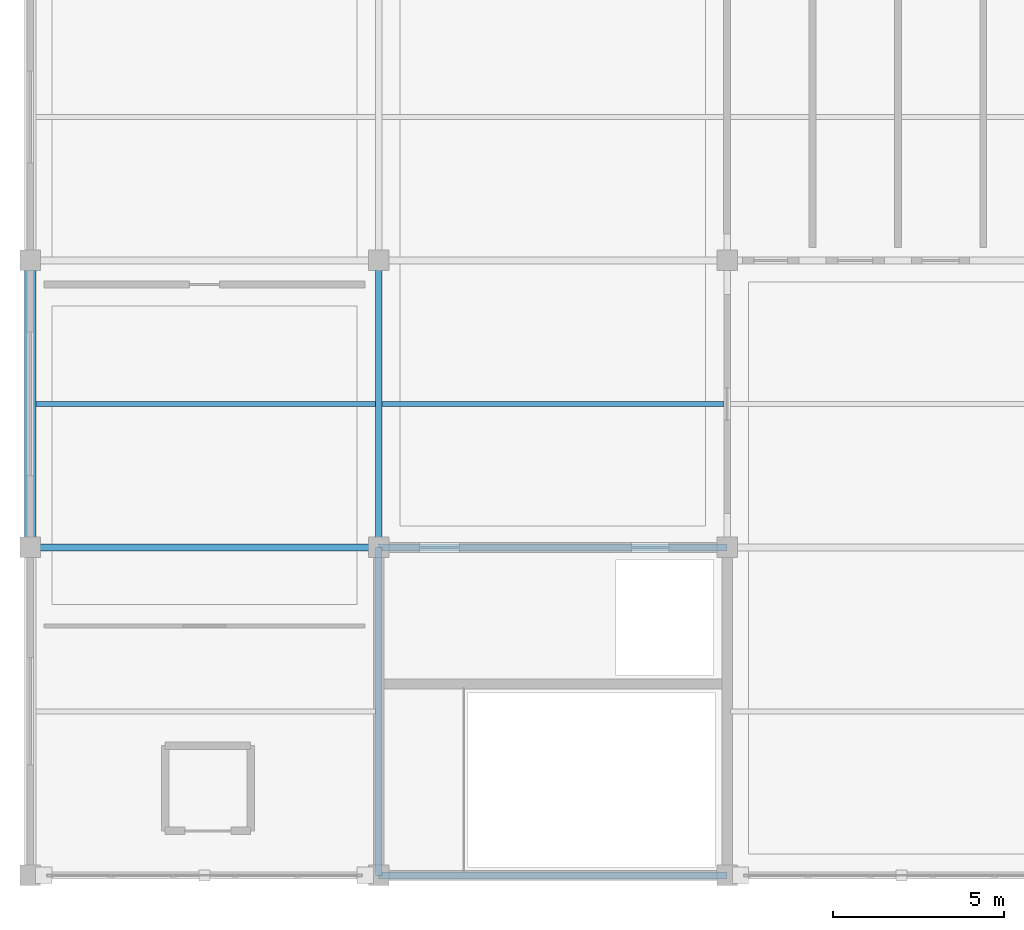
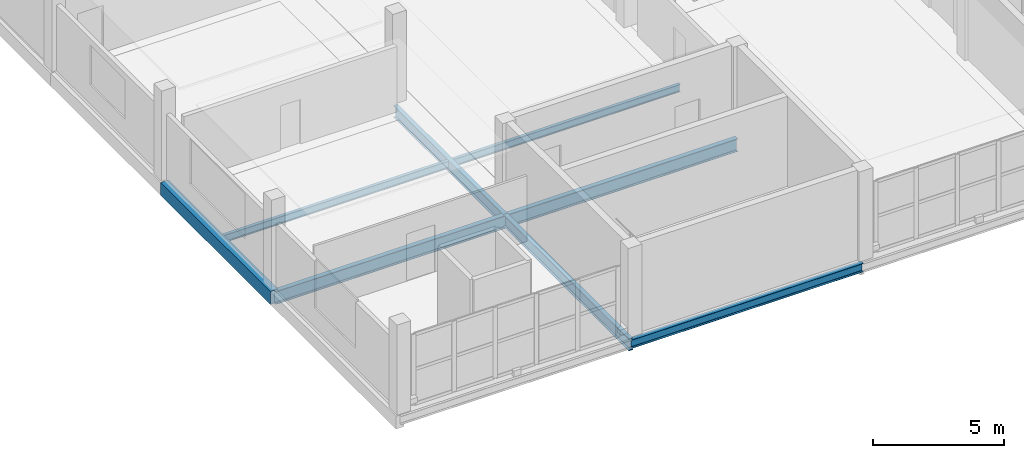
# One storey, part 3 of 12: 8 beams.
"""IFC4 building model written with IfcOpenShell, lengths in metres."""

from ifc_helpers import new_model, si_unit, direction, frame, origin, origin_2d, place, context, subcontext, project, spatial, rectangle, i_section, extrude, material, material_profile, profile_set, type_object, element, save


model = new_model("IFC4")

# Units and contexts
model_context = context("Model", 3, precision=1e-05, world=origin(), true_north=direction((0.0, 1.0)))
body_context = subcontext(model_context, "Body", "Model", "MODEL_VIEW")
ifc_project = project(units=[si_unit("LENGTHUNIT", "METRE"), si_unit("AREAUNIT", "SQUARE_METRE"), si_unit("VOLUMEUNIT", "CUBIC_METRE"), si_unit("PLANEANGLEUNIT", "RADIAN"), si_unit("MASSUNIT", "GRAM", prefix="KILO")], contexts=[model_context])

# Site, building, storey
site_placement = place(None, origin())
site = spatial("IfcSite", under=ifc_project, at=site_placement, CompositionType="ELEMENT")
building_placement = place(site_placement, origin())
building = spatial("IfcBuilding", under=site, at=building_placement, Name="Brelvane Convention Centre", CompositionType="ELEMENT")
storey_placement = place(building_placement, frame((0.0, 0.0, 23.39990234375)))
storey = spatial("IfcBuildingStorey", under=building, at=storey_placement, Name="L05", CompositionType="ELEMENT", Elevation=23.39990234375)

# Beams
ifc_material_1 = material(Name="Concrete M40", Category="concrete")
ifc_material_profile_1 = material_profile(ifc_material_1, rectangle(XDim=0.35009765625, YDim=0.60009765625, at=origin_2d()), Name="RC 350x600")
ifc_profile_set_1 = profile_set([ifc_material_profile_1], Name="Concrete M40")
beam_type_1 = type_object("IfcBeamType", Name="RC Beam B-RC8 (RC 350x600)", PredefinedType="BEAM", material=ifc_profile_set_1)
beam_1_placement = place(storey_placement, frame((0.0, 118.800048828125, -0.5849609375), z_axis=(0.0, 1.0, 0.0), x_axis=(-1.0, 0.0, 0.0)))
element("IfcBeam", 1, at=beam_1_placement, inside=storey, type_object=beam_type_1, Name="L05 Girder 1/M-N", PredefinedType="BEAM", context=body_context, shape_type="SweptSolid", body=[
    extrude(rectangle(XDim=0.35009765625, YDim=0.60009765625, at=origin_2d()), origin(), (0.0, 0.0, 1.0), 8.39990234375),
])
ifc_material_2 = material(Name="Steel E350 (350 MPa)", Category="steel")
ifc_material_profile_2 = material_profile(ifc_material_2, i_section(OverallWidth=0.2099609375, OverallDepth=0.60009765625, WebThickness=0.011962890625, FlangeThickness=0.020751953125, FilletRadius=0.02001953125, at=origin_2d()), Name="ISMB 600")
ifc_profile_set_2 = profile_set([ifc_material_profile_2], Name="Steel E350 (350 MPa)")
beam_type_2 = type_object("IfcBeamType", Name="Steel Beam B-ST7 (ISMB 600)", PredefinedType="BEAM", material=ifc_profile_set_2)
for number, where, z_axis, x_axis, name in (
    (2, (0.0, 118.800048828125, -0.5849609375), (1.0, 0.0, 0.0), (0.0, 1.0, 0.0), "L05 Beam 1-2/M"),
    (3, (10.199951171875, 118.800048828125, -0.5849609375), (1.0, 0.0, 0.0), (0.0, 1.0, 0.0), "L05 Beam 2-3/M"),
):
    element("IfcBeam", number, at=place(storey_placement, frame(where, z_axis=z_axis, x_axis=x_axis)), inside=storey, type_object=beam_type_2, Name=name, PredefinedType="BEAM", context=body_context, shape_type="SweptSolid", body=[
        extrude(i_section(OverallWidth=0.2099609375, OverallDepth=0.60009765625, WebThickness=0.011962890625, FlangeThickness=0.020751953125, FilletRadius=0.02001953125, at=origin_2d()), origin(), (0.0, 0.0, 1.0), 10.199951171875),
    ])
ifc_material_3 = material(Name="Steel E350 (350 MPa)", Category="steel")
ifc_material_profile_3 = material_profile(ifc_material_3, i_section(OverallWidth=0.18994140625, OverallDepth=0.550048828125, WebThickness=0.01123046875, FlangeThickness=0.019287109375, FilletRadius=0.01806640625, at=origin_2d()), Name="ISMB 550")
ifc_profile_set_3 = profile_set([ifc_material_profile_3], Name="Steel E350 (350 MPa)")
beam_type_3 = type_object("IfcBeamType", Name="Steel Beam B-ST8 (ISMB 550)", PredefinedType="BEAM", material=ifc_profile_set_3)
beam_2_placement = place(storey_placement, frame((10.199951171875, 109.199951171875, -0.559814453125), z_axis=(0.0, 1.0, 0.0), x_axis=(-1.0, 0.0, 0.0)))
element("IfcBeam", 4, at=beam_2_placement, inside=storey, type_object=beam_type_3, Name="L05 Girder 2/L-M", PredefinedType="BEAM", context=body_context, shape_type="SweptSolid", body=[
    extrude(i_section(OverallWidth=0.18994140625, OverallDepth=0.550048828125, WebThickness=0.01123046875, FlangeThickness=0.019287109375, FilletRadius=0.01806640625, at=origin_2d()), origin(), (0.0, 0.0, 1.0), 9.60009765625),
])
beam_3_placement = place(storey_placement, frame((10.199951171875, 118.800048828125, -0.559814453125), z_axis=(0.0, 1.0, 0.0), x_axis=(-1.0, 0.0, 0.0)))
element("IfcBeam", 5, at=beam_3_placement, inside=storey, type_object=beam_type_3, Name="L05 Girder 2/M-N", PredefinedType="BEAM", context=body_context, shape_type="SweptSolid", body=[
    extrude(i_section(OverallWidth=0.18994140625, OverallDepth=0.550048828125, WebThickness=0.01123046875, FlangeThickness=0.019287109375, FilletRadius=0.01806640625, at=origin_2d()), origin(), (0.0, 0.0, 1.0), 8.39990234375),
])
ifc_material_4 = material(Name="Steel E350 (350 MPa)", Category="steel")
ifc_material_profile_4 = material_profile(ifc_material_4, i_section(OverallWidth=0.139892578125, OverallDepth=0.35009765625, WebThickness=0.008056640625, FlangeThickness=0.01416015625, FilletRadius=0.013916015625, at=origin_2d()), Name="ISMB 350")
ifc_profile_set_4 = profile_set([ifc_material_profile_4], Name="Steel E350 (350 MPa)")
beam_type_4 = type_object("IfcBeamType", Name="Steel Joist J-ST2 (ISMB 350)", PredefinedType="JOIST", material=ifc_profile_set_4)
beam_4_placement = place(storey_placement, frame((0.175048828125, 123.0, -0.4599609375), z_axis=(1.0, 0.0, 0.0), x_axis=(0.0, 1.0, 0.0)))
element("IfcBeam", 6, at=beam_4_placement, inside=storey, type_object=beam_type_4, Name="L05 Secondary Joist 1-2/MN", PredefinedType="JOIST", context=body_context, shape_type="SweptSolid", body=[
    extrude(i_section(OverallWidth=0.139892578125, OverallDepth=0.35009765625, WebThickness=0.008056640625, FlangeThickness=0.01416015625, FilletRadius=0.013916015625, at=origin_2d()), origin(), (0.0, 0.0, 1.0), 9.929931640625),
])
beam_5_placement = place(storey_placement, frame((10.294921875, 123.0, -0.4599609375), z_axis=(1.0, 0.0, 0.0), x_axis=(0.0, 1.0, 0.0)))
element("IfcBeam", 7, at=beam_5_placement, inside=storey, type_object=beam_type_4, Name="L05 Secondary Joist 2-3/MN", PredefinedType="JOIST", context=body_context, shape_type="SweptSolid", body=[
    extrude(i_section(OverallWidth=0.139892578125, OverallDepth=0.35009765625, WebThickness=0.008056640625, FlangeThickness=0.01416015625, FilletRadius=0.013916015625, at=origin_2d()), origin(), (0.0, 0.0, 1.0), 10.010009765625),
])
ifc_material_5 = material(Name="Steel E350 (350 MPa)", Category="steel")
ifc_material_profile_5 = material_profile(ifc_material_5, i_section(OverallWidth=0.199951171875, OverallDepth=0.39990234375, WebThickness=0.008544921875, FlangeThickness=0.012939453125, FilletRadius=0.013916015625, at=origin_2d()), Name="ISWB 400")
ifc_profile_set_5 = profile_set([ifc_material_profile_5], Name="Steel E350 (350 MPa)")
beam_type_5 = type_object("IfcBeamType", Name="Steel Spandrel SP-ST2 (ISWB 400)", PredefinedType="SPANDREL", material=ifc_profile_set_5)
beam_6_placement = place(storey_placement, frame((10.199951171875, 109.199951171875, -0.48486328125), z_axis=(1.0, 0.0, 0.0), x_axis=(0.0, 1.0, 0.0)))
element("IfcBeam", 8, at=beam_6_placement, inside=storey, type_object=beam_type_5, Name="L05 Beam 2-3/L", PredefinedType="SPANDREL", context=body_context, shape_type="SweptSolid", body=[
    extrude(i_section(OverallWidth=0.199951171875, OverallDepth=0.39990234375, WebThickness=0.008544921875, FlangeThickness=0.012939453125, FilletRadius=0.013916015625, at=origin_2d()), origin(), (0.0, 0.0, 1.0), 10.199951171875),
])

save(model, "model.ifc")
